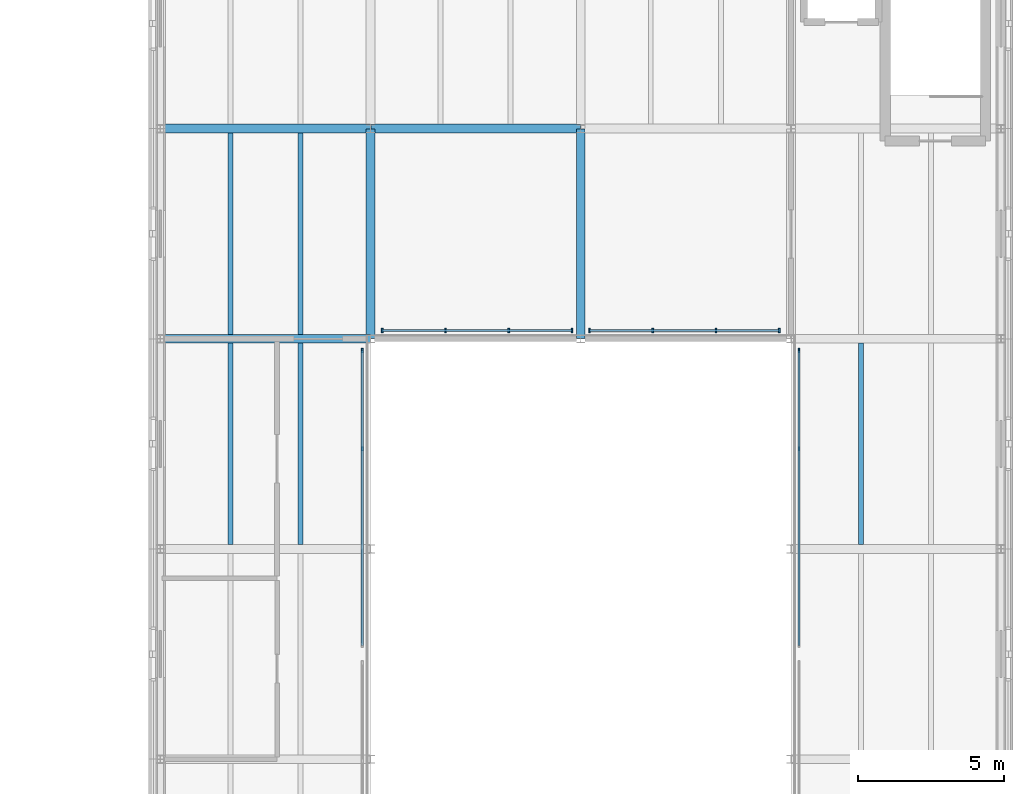
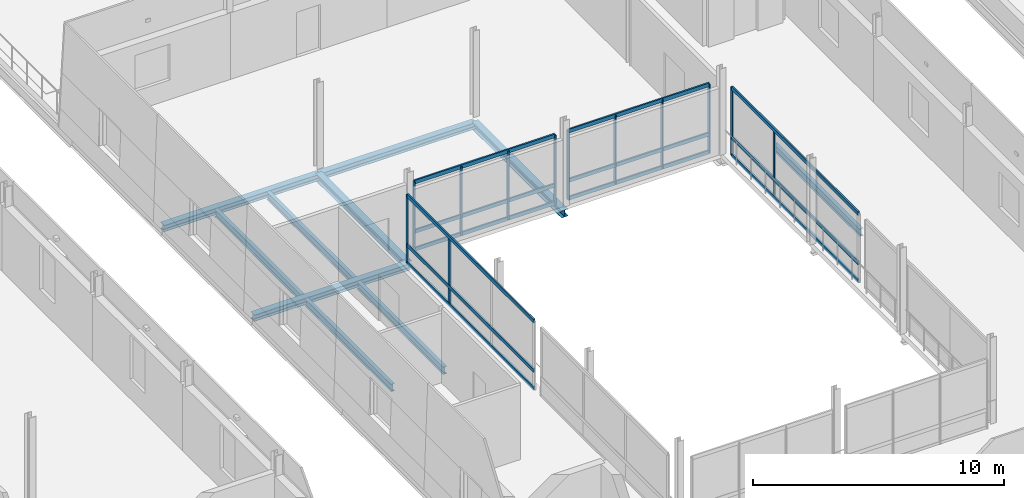
# One storey, part 11 of 66: 24 members, 10 beams, 4 elements without a shape of their own.
"""IFC4 building model written with IfcOpenShell, lengths in metres."""

from ifc_helpers import new_model, si_unit, direction, frame, origin, origin_2d, place, context, subcontext, project, spatial, rectangle, i_section, extrude, material, layer, layer_set, material_profile, profile_set, type_object, element, aggregate, save


model = new_model("IFC4")

# Units and contexts
model_context = context("Model", 3, precision=1e-05, world=origin(), true_north=direction((0.0, 1.0)))
body_context = subcontext(model_context, "Body", "Model", "MODEL_VIEW")
ifc_project = project(units=[si_unit("LENGTHUNIT", "METRE"), si_unit("AREAUNIT", "SQUARE_METRE"), si_unit("VOLUMEUNIT", "CUBIC_METRE"), si_unit("PLANEANGLEUNIT", "RADIAN"), si_unit("MASSUNIT", "GRAM", prefix="KILO")], contexts=[model_context])

# Site, building, storey
site_placement = place(None, origin())
site = spatial("IfcSite", under=ifc_project, at=site_placement, CompositionType="ELEMENT")
building_placement = place(site_placement, origin())
building = spatial("IfcBuilding", under=site, at=building_placement, Name="Narikvali Park Central Library", CompositionType="ELEMENT")
storey_placement = place(building_placement, frame((0.0, 0.0, 18.60009765625)))
storey = spatial("IfcBuildingStorey", under=building, at=storey_placement, Name="L04", CompositionType="ELEMENT", Elevation=18.60009765625)

# Beams
ifc_material_1 = material(Name="Steel S355", Category="steel")
ifc_material_profile_1 = material_profile(ifc_material_1, i_section(OverallWidth=0.169921875, OverallDepth=0.360107421875, WebThickness=0.008056640625, FlangeThickness=0.0126953125, FilletRadius=0.01806640625, at=origin_2d()), Name="IPE 360")
ifc_profile_set_1 = profile_set([ifc_material_profile_1], Name="Steel S355")
beam_type_1 = type_object("IfcBeamType", Name="Composite Floor Joist IPE360", PredefinedType="JOIST", material=ifc_profile_set_1)
for number, where, z_axis, x_axis, name in (
    (1, (31.199951171875, 79.35009765625, -0.440185546875), (0.0, 1.0, 0.0), (-1.0, 0.0, 0.0), "V4 L04 Composite Joist 1"),
    (2, (33.60009765625, 79.35009765625, -0.440185546875), (0.0, 1.0, 0.0), (-1.0, 0.0, 0.0), "V4 L04 Composite Joist 2"),
    (3, (31.199951171875, 86.550048828125, -0.440185546875), (0.0, 1.0, 0.0), (-1.0, 0.0, 0.0), "V4 L04 Composite Joist 1"),
    (4, (33.60009765625, 86.550048828125, -0.440185546875), (0.0, 1.0, 0.0), (-1.0, 0.0, 0.0), "V4 L04 Composite Joist 2"),
    (5, (52.800048828125, 79.35009765625, -0.440185546875), (0.0, 1.0, 0.0), (-1.0, 0.0, 0.0), "V4 L04 Composite Joist 1"),
):
    element("IfcBeam", number, at=place(storey_placement, frame(where, z_axis=z_axis, x_axis=x_axis)), inside=storey, type_object=beam_type_1, Name=name, PredefinedType="JOIST", context=body_context, shape_type="SweptSolid", body=[
        extrude(i_section(OverallWidth=0.169921875, OverallDepth=0.360107421875, WebThickness=0.008056640625, FlangeThickness=0.0126953125, FilletRadius=0.01806640625, at=origin_2d()), origin(), (0.0, 0.0, 1.0), 6.89990234375),
    ])

# Curtain wall, members
ifc_material_2 = material(Name="Anodised Bronze Aluminium", Category="aluminium")
ifc_layer = layer(ifc_material_2, 0.219970703125, Name="Anodised Bronze Aluminium")
ifc_layer_set = layer_set([ifc_layer], Name="Anodised Bronze Aluminium")
curtain_wall_type = type_object("IfcCurtainWallType", Name="Atrium Tall Curtain Wall System", PredefinedType="NOTDEFINED", material=ifc_layer_set)
curtain_wall_1_placement = place(storey_placement, origin())
curtain_wall_1 = element("IfcCurtainWall", 6, at=curtain_wall_1_placement, inside=storey, type_object=curtain_wall_type, Name="Atrium Tall Curtain Wall System CW-INT-V4-L04-W2", PredefinedType="NOTDEFINED")
ifc_material_profile_2 = material_profile(ifc_material_2, rectangle(XDim=0.074951171875, YDim=0.179931640625, at=origin_2d()), Name="CW TRANSOM 75x180")
ifc_profile_set_2 = profile_set([ifc_material_profile_2], Name="Anodised Bronze Aluminium")
member_type_1 = type_object("IfcMemberType", Name="Curtain Wall Heavy Transom 75x180", PredefinedType="USERDEFINED", material=ifc_profile_set_2)
member_1_placement = place(storey_placement, frame((35.719970703125, 75.89990234375, 0.02978515625), z_axis=(0.0, 1.0, 0.0), x_axis=(-1.0, 0.0, 0.0)))
member_1 = element("IfcMember", 7, at=member_1_placement, type_object=member_type_1, Name="CW-INT-V4-L04-W2 Transom 00", ObjectType="TRANSOM", PredefinedType="USERDEFINED", context=body_context, shape_type="SweptSolid", body=[
    extrude(rectangle(XDim=0.074951171875, YDim=0.179931640625, at=origin_2d()), origin(), (0.0, 0.0, 1.0), 10.10009765625),
])
member_2_placement = place(storey_placement, frame((35.719970703125, 75.89990234375, 0.89990234375), z_axis=(0.0, 1.0, 0.0), x_axis=(-1.0, 0.0, 0.0)))
member_2 = element("IfcMember", 8, at=member_2_placement, type_object=member_type_1, Name="CW-INT-V4-L04-W2 Transom 01", ObjectType="TRANSOM", PredefinedType="USERDEFINED", context=body_context, shape_type="SweptSolid", body=[
    extrude(rectangle(XDim=0.074951171875, YDim=0.179931640625, at=origin_2d()), origin(), (0.0, 0.0, 1.0), 10.10009765625),
])
member_3_placement = place(storey_placement, frame((35.719970703125, 75.89990234375, 3.309814453125), z_axis=(0.0, 1.0, 0.0), x_axis=(-1.0, 0.0, 0.0)))
member_3 = element("IfcMember", 9, at=member_3_placement, type_object=member_type_1, Name="CW-INT-V4-L04-W2 Transom 02", ObjectType="TRANSOM", PredefinedType="USERDEFINED", context=body_context, shape_type="SweptSolid", body=[
    extrude(rectangle(XDim=0.074951171875, YDim=0.179931640625, at=origin_2d()), origin(), (0.0, 0.0, 1.0), 10.10009765625),
])

curtain_wall_2_placement = place(storey_placement, origin())
curtain_wall_2 = element("IfcCurtainWall", 10, at=curtain_wall_2_placement, inside=storey, type_object=curtain_wall_type, Name="Atrium Tall Curtain Wall System CW-INT-V4-L04-E2", PredefinedType="NOTDEFINED")
member_4_placement = place(storey_placement, frame((50.679931640625, 75.89990234375, 0.02978515625), z_axis=(0.0, 1.0, 0.0), x_axis=(-1.0, 0.0, 0.0)))
member_4 = element("IfcMember", 11, at=member_4_placement, type_object=member_type_1, Name="CW-INT-V4-L04-E2 Transom 00", ObjectType="TRANSOM", PredefinedType="USERDEFINED", context=body_context, shape_type="SweptSolid", body=[
    extrude(rectangle(XDim=0.074951171875, YDim=0.179931640625, at=origin_2d()), origin(), (0.0, 0.0, 1.0), 10.10009765625),
])
member_5_placement = place(storey_placement, frame((50.679931640625, 75.89990234375, 0.89990234375), z_axis=(0.0, 1.0, 0.0), x_axis=(-1.0, 0.0, 0.0)))
member_5 = element("IfcMember", 12, at=member_5_placement, type_object=member_type_1, Name="CW-INT-V4-L04-E2 Transom 01", ObjectType="TRANSOM", PredefinedType="USERDEFINED", context=body_context, shape_type="SweptSolid", body=[
    extrude(rectangle(XDim=0.074951171875, YDim=0.179931640625, at=origin_2d()), origin(), (0.0, 0.0, 1.0), 10.10009765625),
])
member_6_placement = place(storey_placement, frame((50.679931640625, 75.89990234375, 3.309814453125), z_axis=(0.0, 1.0, 0.0), x_axis=(-1.0, 0.0, 0.0)))
member_6 = element("IfcMember", 13, at=member_6_placement, type_object=member_type_1, Name="CW-INT-V4-L04-E2 Transom 02", ObjectType="TRANSOM", PredefinedType="USERDEFINED", context=body_context, shape_type="SweptSolid", body=[
    extrude(rectangle(XDim=0.074951171875, YDim=0.179931640625, at=origin_2d()), origin(), (0.0, 0.0, 1.0), 10.10009765625),
])

curtain_wall_3_placement = place(storey_placement, origin())
curtain_wall_3 = element("IfcCurtainWall", 14, at=curtain_wall_3_placement, inside=storey, type_object=curtain_wall_type, Name="Atrium Tall Curtain Wall System CW-INT-V4-L04-N1", PredefinedType="NOTDEFINED")
member_7_placement = place(storey_placement, frame((36.39990234375, 86.679931640625, 0.02978515625), z_axis=(1.0, 0.0, 0.0), x_axis=(0.0, 1.0, 0.0)))
member_7 = element("IfcMember", 15, at=member_7_placement, type_object=member_type_1, Name="CW-INT-V4-L04-N1 Transom 00", ObjectType="TRANSOM", PredefinedType="USERDEFINED", context=body_context, shape_type="SweptSolid", body=[
    extrude(rectangle(XDim=0.074951171875, YDim=0.179931640625, at=origin_2d()), origin(), (0.0, 0.0, 1.0), 6.5),
])
member_8_placement = place(storey_placement, frame((36.39990234375, 86.679931640625, 0.89990234375), z_axis=(1.0, 0.0, 0.0), x_axis=(0.0, 1.0, 0.0)))
member_8 = element("IfcMember", 16, at=member_8_placement, type_object=member_type_1, Name="CW-INT-V4-L04-N1 Transom 01", ObjectType="TRANSOM", PredefinedType="USERDEFINED", context=body_context, shape_type="SweptSolid", body=[
    extrude(rectangle(XDim=0.074951171875, YDim=0.179931640625, at=origin_2d()), origin(), (0.0, 0.0, 1.0), 6.5),
])
member_9_placement = place(storey_placement, frame((36.39990234375, 86.679931640625, 3.309814453125), z_axis=(1.0, 0.0, 0.0), x_axis=(0.0, 1.0, 0.0)))
member_9 = element("IfcMember", 17, at=member_9_placement, type_object=member_type_1, Name="CW-INT-V4-L04-N1 Transom 02", ObjectType="TRANSOM", PredefinedType="USERDEFINED", context=body_context, shape_type="SweptSolid", body=[
    extrude(rectangle(XDim=0.074951171875, YDim=0.179931640625, at=origin_2d()), origin(), (0.0, 0.0, 1.0), 6.5),
])

curtain_wall_4_placement = place(storey_placement, origin())
curtain_wall_4 = element("IfcCurtainWall", 18, at=curtain_wall_4_placement, inside=storey, type_object=curtain_wall_type, Name="Atrium Tall Curtain Wall System CW-INT-V4-L04-N2", PredefinedType="NOTDEFINED")
member_10_placement = place(storey_placement, frame((43.5, 86.679931640625, 0.02978515625), z_axis=(1.0, 0.0, 0.0), x_axis=(0.0, 1.0, 0.0)))
member_10 = element("IfcMember", 19, at=member_10_placement, type_object=member_type_1, Name="CW-INT-V4-L04-N2 Transom 00", ObjectType="TRANSOM", PredefinedType="USERDEFINED", context=body_context, shape_type="SweptSolid", body=[
    extrude(rectangle(XDim=0.074951171875, YDim=0.179931640625, at=origin_2d()), origin(), (0.0, 0.0, 1.0), 6.5),
])
member_11_placement = place(storey_placement, frame((43.5, 86.679931640625, 0.89990234375), z_axis=(1.0, 0.0, 0.0), x_axis=(0.0, 1.0, 0.0)))
member_11 = element("IfcMember", 20, at=member_11_placement, type_object=member_type_1, Name="CW-INT-V4-L04-N2 Transom 01", ObjectType="TRANSOM", PredefinedType="USERDEFINED", context=body_context, shape_type="SweptSolid", body=[
    extrude(rectangle(XDim=0.074951171875, YDim=0.179931640625, at=origin_2d()), origin(), (0.0, 0.0, 1.0), 6.5),
])
member_12_placement = place(storey_placement, frame((43.5, 86.679931640625, 3.309814453125), z_axis=(1.0, 0.0, 0.0), x_axis=(0.0, 1.0, 0.0)))
member_12 = element("IfcMember", 21, at=member_12_placement, type_object=member_type_1, Name="CW-INT-V4-L04-N2 Transom 02", ObjectType="TRANSOM", PredefinedType="USERDEFINED", context=body_context, shape_type="SweptSolid", body=[
    extrude(rectangle(XDim=0.074951171875, YDim=0.179931640625, at=origin_2d()), origin(), (0.0, 0.0, 1.0), 6.5),
])

# Member
ifc_material_profile_3 = material_profile(ifc_material_2, rectangle(XDim=0.06005859375, YDim=0.14990234375, at=origin_2d()), Name="CW MULLION 60x150")
ifc_profile_set_3 = profile_set([ifc_material_profile_3], Name="Anodised Bronze Aluminium")
member_type_2 = type_object("IfcMemberType", Name="Curtain Wall Mullion 60x150", PredefinedType="MULLION", material=ifc_profile_set_3)
member_13_placement = place(storey_placement, frame((35.719970703125, 82.63330078125, -0.010009765625), z_axis=(0.0, 0.0, 1.0), x_axis=(1.0, 0.0, 0.0)))
member_13 = element("IfcMember", 22, at=member_13_placement, type_object=member_type_2, Name="CW-INT-V4-L04-W2 Mullion 02", PredefinedType="MULLION", context=body_context, shape_type="SweptSolid", body=[
    extrude(rectangle(XDim=0.06005859375, YDim=0.14990234375, at=origin_2d()), origin(), (0.0, 0.0, 1.0), 3.349853515625),
])

member_14_placement = place(storey_placement, frame((35.719970703125, 86.0, -0.010009765625), z_axis=(0.0, 0.0, 1.0), x_axis=(1.0, 0.0, 0.0)))
member_14 = element("IfcMember", 23, at=member_14_placement, type_object=member_type_2, Name="CW-INT-V4-L04-W2 Mullion 03", PredefinedType="MULLION", context=body_context, shape_type="SweptSolid", body=[
    extrude(rectangle(XDim=0.06005859375, YDim=0.14990234375, at=origin_2d()), origin(), (0.0, 0.0, 1.0), 3.349853515625),
])

aggregate(curtain_wall_1, [member_13, member_14, member_1, member_2, member_3])

member_15_placement = place(storey_placement, frame((50.679931640625, 82.63330078125, -0.010009765625), z_axis=(0.0, 0.0, 1.0), x_axis=(1.0, 0.0, 0.0)))
member_15 = element("IfcMember", 24, at=member_15_placement, type_object=member_type_2, Name="CW-INT-V4-L04-E2 Mullion 02", PredefinedType="MULLION", context=body_context, shape_type="SweptSolid", body=[
    extrude(rectangle(XDim=0.06005859375, YDim=0.14990234375, at=origin_2d()), origin(), (0.0, 0.0, 1.0), 3.349853515625),
])

member_16_placement = place(storey_placement, frame((50.679931640625, 86.0, -0.010009765625), z_axis=(0.0, 0.0, 1.0), x_axis=(1.0, 0.0, 0.0)))
member_16 = element("IfcMember", 25, at=member_16_placement, type_object=member_type_2, Name="CW-INT-V4-L04-E2 Mullion 03", PredefinedType="MULLION", context=body_context, shape_type="SweptSolid", body=[
    extrude(rectangle(XDim=0.06005859375, YDim=0.14990234375, at=origin_2d()), origin(), (0.0, 0.0, 1.0), 3.349853515625),
])

aggregate(curtain_wall_2, [member_15, member_16, member_4, member_5, member_6])

member_17_placement = place(storey_placement, frame((36.39990234375, 86.679931640625, -0.010009765625), z_axis=(0.0, 0.0, 1.0), x_axis=(1.0, 0.0, 0.0)))
member_17 = element("IfcMember", 26, at=member_17_placement, type_object=member_type_2, Name="CW-INT-V4-L04-N1 Mullion 00", PredefinedType="MULLION", context=body_context, shape_type="SweptSolid", body=[
    extrude(rectangle(XDim=0.06005859375, YDim=0.14990234375, at=origin_2d()), origin(), (0.0, 0.0, 1.0), 3.349853515625),
])

member_18_placement = place(storey_placement, frame((38.566650390625, 86.679931640625, -0.010009765625), z_axis=(0.0, 0.0, 1.0), x_axis=(1.0, 0.0, 0.0)))
member_18 = element("IfcMember", 27, at=member_18_placement, type_object=member_type_2, Name="CW-INT-V4-L04-N1 Mullion 01", PredefinedType="MULLION", context=body_context, shape_type="SweptSolid", body=[
    extrude(rectangle(XDim=0.06005859375, YDim=0.14990234375, at=origin_2d()), origin(), (0.0, 0.0, 1.0), 3.349853515625),
])

member_19_placement = place(storey_placement, frame((40.7333984375, 86.679931640625, -0.010009765625), z_axis=(0.0, 0.0, 1.0), x_axis=(1.0, 0.0, 0.0)))
member_19 = element("IfcMember", 28, at=member_19_placement, type_object=member_type_2, Name="CW-INT-V4-L04-N1 Mullion 02", PredefinedType="MULLION", context=body_context, shape_type="SweptSolid", body=[
    extrude(rectangle(XDim=0.06005859375, YDim=0.14990234375, at=origin_2d()), origin(), (0.0, 0.0, 1.0), 3.349853515625),
])

member_20_placement = place(storey_placement, frame((42.89990234375, 86.679931640625, -0.010009765625), z_axis=(0.0, 0.0, 1.0), x_axis=(1.0, 0.0, 0.0)))
member_20 = element("IfcMember", 29, at=member_20_placement, type_object=member_type_2, Name="CW-INT-V4-L04-N1 Mullion 03", PredefinedType="MULLION", context=body_context, shape_type="SweptSolid", body=[
    extrude(rectangle(XDim=0.06005859375, YDim=0.14990234375, at=origin_2d()), origin(), (0.0, 0.0, 1.0), 3.349853515625),
])

aggregate(curtain_wall_3, [member_17, member_18, member_19, member_20, member_7, member_8, member_9])

member_21_placement = place(storey_placement, frame((43.5, 86.679931640625, -0.010009765625), z_axis=(0.0, 0.0, 1.0), x_axis=(1.0, 0.0, 0.0)))
member_21 = element("IfcMember", 30, at=member_21_placement, type_object=member_type_2, Name="CW-INT-V4-L04-N2 Mullion 00", PredefinedType="MULLION", context=body_context, shape_type="SweptSolid", body=[
    extrude(rectangle(XDim=0.06005859375, YDim=0.14990234375, at=origin_2d()), origin(), (0.0, 0.0, 1.0), 3.349853515625),
])

member_22_placement = place(storey_placement, frame((45.666748046875, 86.679931640625, -0.010009765625), z_axis=(0.0, 0.0, 1.0), x_axis=(1.0, 0.0, 0.0)))
member_22 = element("IfcMember", 31, at=member_22_placement, type_object=member_type_2, Name="CW-INT-V4-L04-N2 Mullion 01", PredefinedType="MULLION", context=body_context, shape_type="SweptSolid", body=[
    extrude(rectangle(XDim=0.06005859375, YDim=0.14990234375, at=origin_2d()), origin(), (0.0, 0.0, 1.0), 3.349853515625),
])

member_23_placement = place(storey_placement, frame((47.833251953125, 86.679931640625, -0.010009765625), z_axis=(0.0, 0.0, 1.0), x_axis=(1.0, 0.0, 0.0)))
member_23 = element("IfcMember", 32, at=member_23_placement, type_object=member_type_2, Name="CW-INT-V4-L04-N2 Mullion 02", PredefinedType="MULLION", context=body_context, shape_type="SweptSolid", body=[
    extrude(rectangle(XDim=0.06005859375, YDim=0.14990234375, at=origin_2d()), origin(), (0.0, 0.0, 1.0), 3.349853515625),
])

member_24_placement = place(storey_placement, frame((50.0, 86.679931640625, -0.010009765625), z_axis=(0.0, 0.0, 1.0), x_axis=(1.0, 0.0, 0.0)))
member_24 = element("IfcMember", 33, at=member_24_placement, type_object=member_type_2, Name="CW-INT-V4-L04-N2 Mullion 03", PredefinedType="MULLION", context=body_context, shape_type="SweptSolid", body=[
    extrude(rectangle(XDim=0.06005859375, YDim=0.14990234375, at=origin_2d()), origin(), (0.0, 0.0, 1.0), 3.349853515625),
])

aggregate(curtain_wall_4, [member_21, member_22, member_23, member_24, member_10, member_11, member_12])

# Beams
ifc_material_profile_4 = material_profile(ifc_material_1, i_section(OverallWidth=0.300048828125, OverallDepth=0.31005859375, WebThickness=0.009033203125, FlangeThickness=0.015380859375, FilletRadius=0.027099609375, at=origin_2d()), Name="HEA 320")
ifc_profile_set_4 = profile_set([ifc_material_profile_4], Name="Steel S355")
beam_type_2 = type_object("IfcBeamType", Name="Primary Girder HEA320", PredefinedType="BEAM", material=ifc_profile_set_4)
for number, where, z_axis, x_axis, name in (
    (34, (28.80810546875, 86.39990234375, -0.4150390625), (1.0, 0.0, 0.0), (0.0, 1.0, 0.0), "V4 L04 Girder X"),
    (35, (28.80810546875, 93.60009765625, -0.4150390625), (1.0, 0.0, 0.0), (0.0, 1.0, 0.0), "V4 L04 Girder X"),
    (36, (36.008056640625, 93.60009765625, -0.4150390625), (1.0, 0.0, 0.0), (0.0, 1.0, 0.0), "V4 L04 Girder X"),
):
    element("IfcBeam", number, at=place(storey_placement, frame(where, z_axis=z_axis, x_axis=x_axis)), inside=storey, type_object=beam_type_2, Name=name, PredefinedType="BEAM", context=body_context, shape_type="SweptSolid", body=[
        extrude(i_section(OverallWidth=0.300048828125, OverallDepth=0.31005859375, WebThickness=0.009033203125, FlangeThickness=0.015380859375, FilletRadius=0.027099609375, at=origin_2d()), origin(), (0.0, 0.0, 1.0), 7.183837890625),
    ])
ifc_material_profile_5 = material_profile(ifc_material_1, i_section(OverallWidth=0.300048828125, OverallDepth=0.35009765625, WebThickness=0.010009765625, FlangeThickness=0.017578125, FilletRadius=0.027099609375, at=origin_2d()), Name="HEA 360")
ifc_profile_set_5 = profile_set([ifc_material_profile_5], Name="Steel S355")
beam_type_3 = type_object("IfcBeamType", Name="Primary Girder HEA360", PredefinedType="BEAM", material=ifc_profile_set_5)
for number, where, z_axis, x_axis, name in (
    (37, (36.0, 86.407958984375, -0.43505859375), (0.0, 1.0, 0.0), (-1.0, 0.0, 0.0), "V4 L04 Girder Y"),
    (38, (43.199951171875, 86.407958984375, -0.43505859375), (0.0, 1.0, 0.0), (-1.0, 0.0, 0.0), "V4 L04 Girder Y"),
):
    element("IfcBeam", number, at=place(storey_placement, frame(where, z_axis=z_axis, x_axis=x_axis)), inside=storey, type_object=beam_type_3, Name=name, PredefinedType="BEAM", context=body_context, shape_type="SweptSolid", body=[
        extrude(i_section(OverallWidth=0.300048828125, OverallDepth=0.35009765625, WebThickness=0.010009765625, FlangeThickness=0.017578125, FilletRadius=0.027099609375, at=origin_2d()), origin(), (0.0, 0.0, 1.0), 7.18408203125),
    ])

save(model, "model.ifc")
